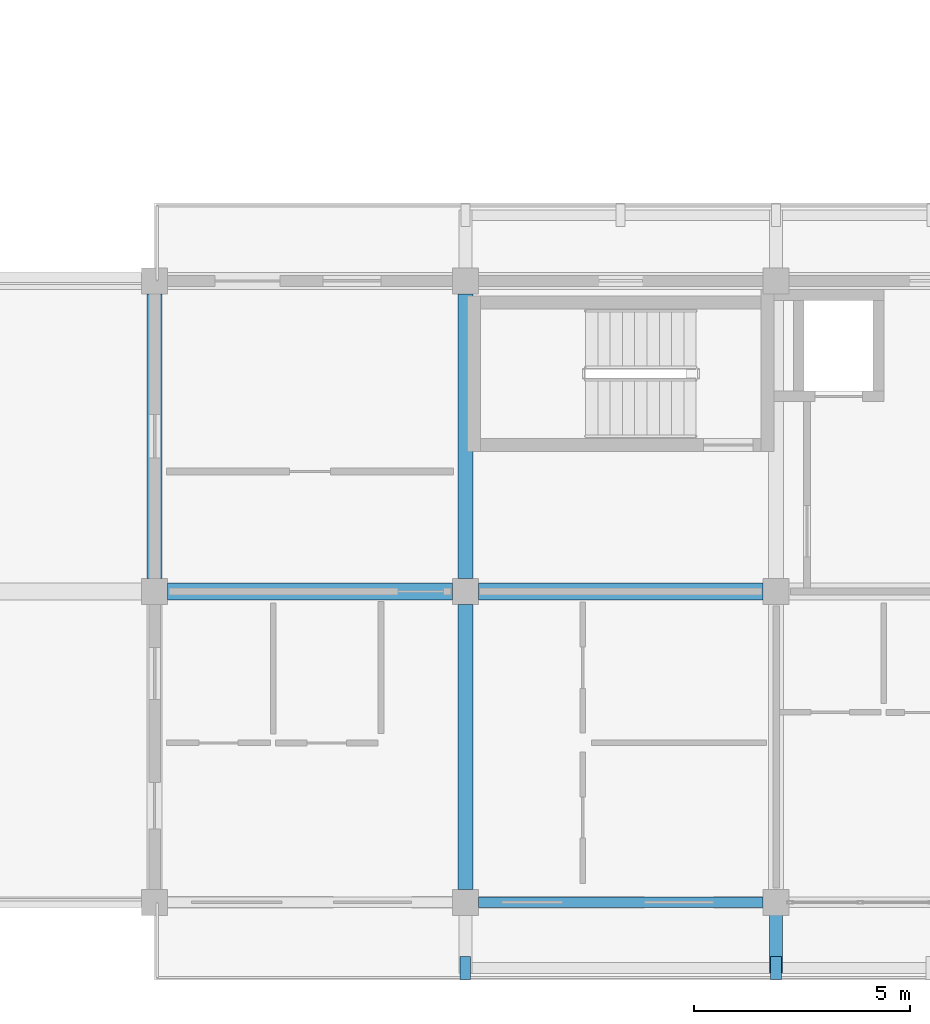
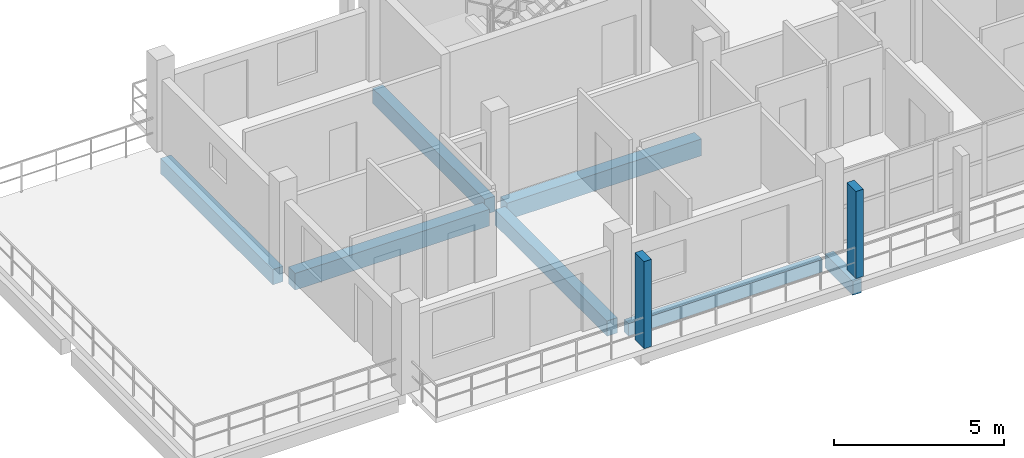
# One storey, part 22 of 75: 7 beams, 2 members.
"""IFC4 building model written with IfcOpenShell, lengths in metres."""

from ifc_helpers import new_model, si_unit, direction, frame, origin, origin_2d, place, context, subcontext, project, spatial, rectangle, extrude, material, material_profile, profile_set, type_object, element, save


model = new_model("IFC4")

# Units and contexts
model_context = context("Model", 3, precision=1e-05, world=origin(), true_north=direction((0.0, 1.0)))
body_context = subcontext(model_context, "Body", "Model", "MODEL_VIEW")
ifc_project = project(units=[si_unit("LENGTHUNIT", "METRE"), si_unit("AREAUNIT", "SQUARE_METRE"), si_unit("VOLUMEUNIT", "CUBIC_METRE"), si_unit("PLANEANGLEUNIT", "RADIAN"), si_unit("MASSUNIT", "GRAM", prefix="KILO")], contexts=[model_context])

# Site, building, storey
site_placement = place(None, origin())
site = spatial("IfcSite", under=ifc_project, at=site_placement, CompositionType="ELEMENT")
building_placement = place(site_placement, origin())
building = spatial("IfcBuilding", under=site, at=building_placement, Name="Suanplinth Sawtooth Commons", CompositionType="ELEMENT")
storey_placement = place(building_placement, frame((0.0, 0.0, 18.60009765625)))
storey = spatial("IfcBuildingStorey", under=building, at=storey_placement, Name="L05", CompositionType="ELEMENT", Elevation=18.60009765625)

# Beams
ifc_material_1 = material(Name="Precast concrete C40/50", Category="concrete")
ifc_material_profile_1 = material_profile(ifc_material_1, rectangle(XDim=0.39990234375, YDim=0.60009765625, at=origin_2d()), Name="PC-GDR 400x600")
ifc_profile_set_1 = profile_set([ifc_material_profile_1], Name="Precast concrete C40/50")
beam_type_1 = type_object("IfcBeamType", Name="B-05", PredefinedType="USERDEFINED", material=ifc_profile_set_1)
beam_1_placement = place(storey_placement, frame((129.89990234375, 7.199951171875, -0.550048828125), z_axis=(1.0, 0.0, 0.0), x_axis=(0.0, 1.0, 0.0)))
element("IfcBeam", 1, at=beam_1_placement, inside=storey, type_object=beam_type_1, Name="BMX-L05-C-18-1", ObjectType="GIRDER", PredefinedType="USERDEFINED", context=body_context, shape_type="SweptSolid", body=[
    extrude(rectangle(XDim=0.39990234375, YDim=0.60009765625, at=origin_2d()), origin(), (0.0, 0.0, 1.0), 6.60009765625),
])
beam_2_placement = place(storey_placement, frame((137.10009765625, 7.199951171875, -0.550048828125), z_axis=(1.0, 0.0, 0.0), x_axis=(0.0, 1.0, 0.0)))
element("IfcBeam", 2, at=beam_2_placement, inside=storey, type_object=beam_type_1, Name="BMX-L05-C-19-1", ObjectType="GIRDER", PredefinedType="USERDEFINED", context=body_context, shape_type="SweptSolid", body=[
    extrude(rectangle(XDim=0.39990234375, YDim=0.60009765625, at=origin_2d()), origin(), (0.0, 0.0, 1.0), 6.599853515625),
])
ifc_material_profile_2 = material_profile(ifc_material_1, rectangle(XDim=0.35009765625, YDim=0.550048828125, at=origin_2d()), Name="PC-BM 350x550")
ifc_profile_set_2 = profile_set([ifc_material_profile_2], Name="Precast concrete C40/50")
beam_type_2 = type_object("IfcBeamType", Name="B-06", PredefinedType="BEAM", material=ifc_profile_set_2)
beam_3_placement = place(storey_placement, frame((129.60009765625, 7.5, -0.525146484375), z_axis=(0.0, 1.0, 0.0), x_axis=(-1.0, 0.0, 0.0)))
element("IfcBeam", 3, at=beam_3_placement, inside=storey, type_object=beam_type_2, Name="BMY-L05-C-18-1", PredefinedType="BEAM", context=body_context, shape_type="SweptSolid", body=[
    extrude(rectangle(XDim=0.35009765625, YDim=0.550048828125, at=origin_2d()), origin(), (0.0, 0.0, 1.0), 6.60009765625),
])
beam_4_placement = place(storey_placement, frame((136.800048828125, 0.300048828125, -0.525146484375), z_axis=(0.0, 1.0, 0.0), x_axis=(-1.0, 0.0, 0.0)))
element("IfcBeam", 4, at=beam_4_placement, inside=storey, type_object=beam_type_2, Name="BMY-L05-C-19-0", PredefinedType="BEAM", context=body_context, shape_type="SweptSolid", body=[
    extrude(rectangle(XDim=0.35009765625, YDim=0.550048828125, at=origin_2d()), origin(), (0.0, 0.0, 1.0), 6.599853515625),
])
beam_5_placement = place(storey_placement, frame((136.800048828125, 7.5, -0.525146484375), z_axis=(0.0, 1.0, 0.0), x_axis=(-1.0, 0.0, 0.0)))
element("IfcBeam", 5, at=beam_5_placement, inside=storey, type_object=beam_type_2, Name="BMY-L05-C-19-1", PredefinedType="BEAM", context=body_context, shape_type="SweptSolid", body=[
    extrude(rectangle(XDim=0.35009765625, YDim=0.550048828125, at=origin_2d()), origin(), (0.0, 0.0, 1.0), 6.60009765625),
])
ifc_material_profile_3 = material_profile(ifc_material_1, rectangle(XDim=0.300048828125, YDim=0.5, at=origin_2d()), Name="PC-BM 300x500")
ifc_profile_set_3 = profile_set([ifc_material_profile_3], Name="Precast concrete C40/50")
beam_type_3 = type_object("IfcBeamType", Name="B-07", PredefinedType="BEAM", material=ifc_profile_set_3)
beam_6_placement = place(storey_placement, frame((144.0, 0.0, -0.43017578125), z_axis=(0.0, -1.0, 0.0), x_axis=(1.0, 0.0, 0.0)))
element("IfcBeam", 6, at=beam_6_placement, inside=storey, type_object=beam_type_3, Name="Balcony Outrigger L05-C-S-20", PredefinedType="BEAM", context=body_context, shape_type="SweptSolid", body=[
    extrude(rectangle(XDim=0.300048828125, YDim=0.5, at=origin_2d()), origin(), (0.0, 0.0, 1.0), 1.639892578125),
])
ifc_material_profile_4 = material_profile(ifc_material_1, rectangle(XDim=0.25, YDim=0.449951171875, at=origin_2d()), Name="PC-SP 250x450")
ifc_profile_set_4 = profile_set([ifc_material_profile_4], Name="Precast concrete C40/50")
beam_type_4 = type_object("IfcBeamType", Name="B-09", PredefinedType="SPANDREL", material=ifc_profile_set_4)
beam_7_placement = place(storey_placement, frame((137.10009765625, 0.0, -0.47509765625), z_axis=(1.0, 0.0, 0.0), x_axis=(0.0, 1.0, 0.0)))
element("IfcBeam", 7, at=beam_7_placement, inside=storey, type_object=beam_type_4, Name="BMX-L05-C-19-0", PredefinedType="SPANDREL", context=body_context, shape_type="SweptSolid", body=[
    extrude(rectangle(XDim=0.25, YDim=0.449951171875, at=origin_2d()), origin(), (0.0, 0.0, 1.0), 6.599853515625),
])

# Members
ifc_material_2 = material(Name="Pigmented precast concrete C40/50", Category="concrete")
ifc_material_profile_5 = material_profile(ifc_material_2, rectangle(XDim=0.25, YDim=0.5400390625, at=origin_2d()), Name="PC-FIN 250x540")
ifc_profile_set_5 = profile_set([ifc_material_profile_5], Name="Pigmented precast concrete C40/50")
member_type = type_object("IfcMemberType", Name="M-11", PredefinedType="USERDEFINED", material=ifc_profile_set_5)
for number, where, z_axis, x_axis, name in (
    (8, (136.800048828125, -1.52001953125, 0.0), (0.0, 0.0, 1.0), (1.0, 0.0, 0.0), "Upright Solar Blade L05-C-S-01"),
    (9, (144.0, -1.52001953125, 0.0), (0.0, 0.0, 1.0), (1.0, 0.0, 0.0), "Upright Solar Blade L05-C-S-02"),
):
    element("IfcMember", number, at=place(storey_placement, frame(where, z_axis=z_axis, x_axis=x_axis)), inside=storey, type_object=member_type, Name=name, ObjectType="SHADING FIN", PredefinedType="USERDEFINED", context=body_context, shape_type="SweptSolid", body=[
        extrude(rectangle(XDim=0.25, YDim=0.5400390625, at=origin_2d()), origin(), (0.0, 0.0, 1.0), 3.1298828125),
    ])

save(model, "model.ifc")
